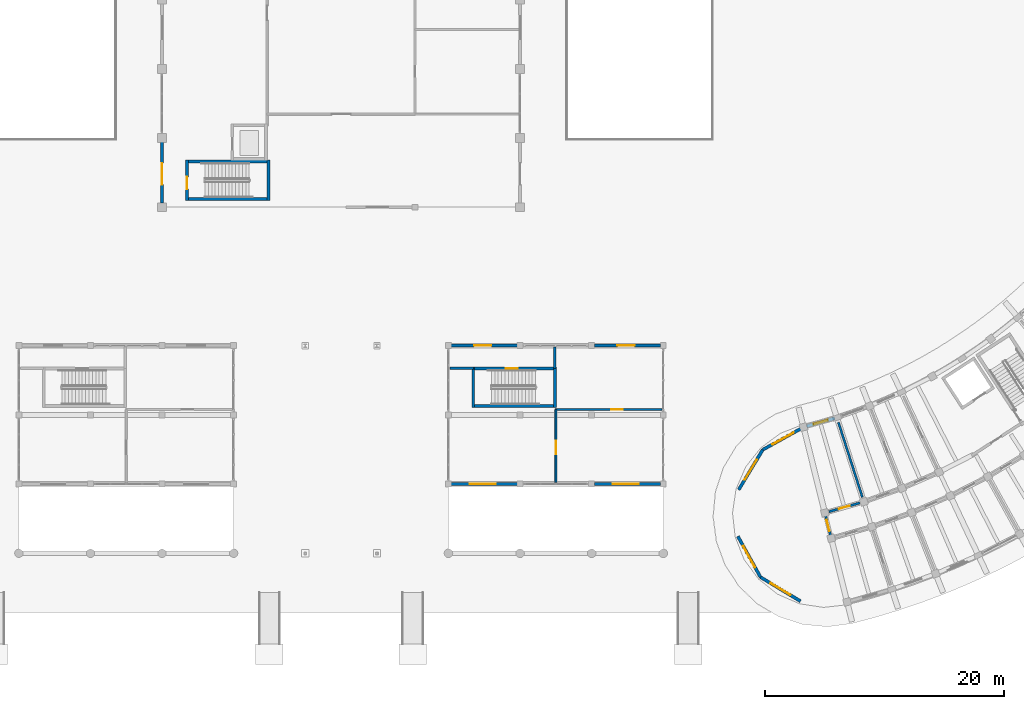
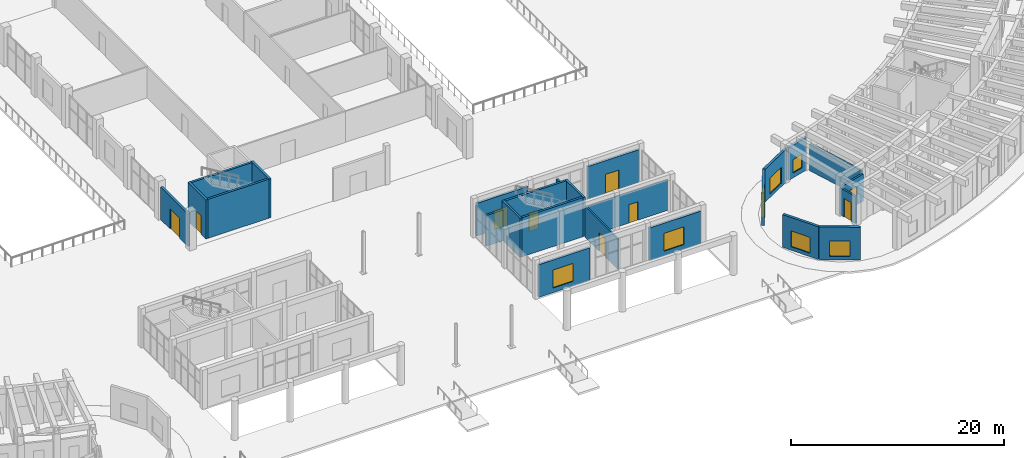
# One storey, part 91 of 132: 25 walls, 9 doors, 7 windows, 16 openings.
"""IFC4 building model written with IfcOpenShell, lengths in metres."""

from ifc_helpers import new_model, si_unit, direction, frame, frame_2d, origin, place, context, subcontext, project, spatial, rectangle, extrude, material, layer, layer_set, type_object, element, fill, save


model = new_model("IFC4")

# Units and contexts
model_context = context("Model", 3, precision=1e-05, world=origin(), true_north=direction((0.0, 1.0)))
body_context = subcontext(model_context, "Body", "Model", "MODEL_VIEW")
ifc_project = project(units=[si_unit("LENGTHUNIT", "METRE"), si_unit("AREAUNIT", "SQUARE_METRE"), si_unit("VOLUMEUNIT", "CUBIC_METRE"), si_unit("PLANEANGLEUNIT", "RADIAN"), si_unit("MASSUNIT", "GRAM", prefix="KILO")], contexts=[model_context])

# Site, building, storey
site_placement = place(None, origin())
site = spatial("IfcSite", under=ifc_project, at=site_placement, CompositionType="ELEMENT")
building_placement = place(site_placement, origin())
building = spatial("IfcBuilding", under=site, at=building_placement, Name="Tanwirah Colonnade Gardens", CompositionType="ELEMENT")
storey_placement = place(building_placement, origin())
storey = spatial("IfcBuildingStorey", under=building, at=storey_placement, Name="L00", CompositionType="ELEMENT", Elevation=0.0)

# Wall, opening, door
ifc_material_1 = material(Name="Limestone architectural precast concrete C40/50", Category="masonry")
ifc_layer_1 = layer(ifc_material_1, 0.25)
ifc_layer_set_1 = layer_set([ifc_layer_1], Name="Limestone architectural precast concrete C40/50")
wall_type_1 = type_object("IfcWallType", Name="EW-PAV250", PredefinedType="SOLIDWALL", material=ifc_layer_set_1)
wall_1_placement = place(storey_placement, frame((78.0, 40.14501953125, 0.0), z_axis=(0.0, 0.0, 1.0), x_axis=(0.0, 1.0, 0.0)))
wall_1 = element("IfcWall", 1, at=wall_1_placement, inside=storey, type_object=wall_type_1, Name="Community Hall L00 W Facade Wall 1", PredefinedType="SOLIDWALL", context=body_context, shape_type="SweptSolid", body=[
    extrude(rectangle(XDim=5.10986328125, YDim=0.25, at=frame_2d((2.554931640625, 0.0))), origin(), (0.0, 0.0, 1.0), 3.75),
])
opening_1_placement = place(wall_1_placement, frame((1.550048828125, 0.0, 0.0)))
opening_1 = element("IfcOpeningElement", 2, at=opening_1_placement, cuts=wall_1, Name="Opening L00-ED215", PredefinedType="OPENING", context=body_context, shape_type="SweptSolid", body=[
    extrude(rectangle(XDim=1.800048828125, YDim=2.300048828125, at=frame_2d((0.89990234375, 1.14990234375))), frame((0.0, 0.135009765625, 0.0), z_axis=(0.0, -1.0, 0.0), x_axis=(1.0, 0.0, 0.0)), (0.0, 0.0, 1.0), 0.27001953125),
])
ifc_material_2 = material(Name="Bronze architectural aluminium and safety glass", Category="aluminium")
door_type_1 = type_object("IfcDoorType", Name="ED-ENT18", OperationType="DOUBLE_DOOR_SINGLE_SWING", PredefinedType="DOOR", material=ifc_material_2)
door_1_placement = place(opening_1_placement, origin())
door_1 = element("IfcDoor", 3, at=door_1_placement, inside=storey, type_object=door_type_1, Name="Community Hall Foyer Courtyard Entrance L00-ED215", OperationType="DOUBLE_DOOR_SINGLE_SWING", OverallHeight=2.300048828125, OverallWidth=1.800048828125, PredefinedType="DOOR", context=body_context, shape_type="SweptSolid", body=[
    extrude(rectangle(XDim=1.800048828125, YDim=2.300048828125, at=frame_2d((0.89990234375, 1.14990234375))), frame((0.0, 0.02490234375, 0.0), z_axis=(0.0, -1.0, 0.0), x_axis=(1.0, 0.0, 0.0)), (0.0, 0.0, 1.0), 0.050048828125),
])
fill(opening_1, door_1)

# Wall, opening, window
ifc_layer_2 = layer(ifc_material_1, 0.239990234375)
ifc_layer_set_2 = layer_set([ifc_layer_2], Name="Limestone architectural precast concrete C40/50")
wall_type_2 = type_object("IfcWallType", Name="EW-PC240", PredefinedType="SOLIDWALL", material=ifc_layer_set_2)
wall_2_placement = place(storey_placement, frame((102.219970703125, 16.60009765625, 0.0), z_axis=(0.0, 0.0, 1.0), x_axis=(1.0, 0.0, 0.0)))
wall_2 = element("IfcWall", 4, at=wall_2_placement, inside=storey, type_object=wall_type_2, Name="Boulevard Shops E L00 S Wall 0", PredefinedType="SOLIDWALL", context=body_context, shape_type="SweptSolid", body=[
    extrude(rectangle(XDim=5.56005859375, YDim=0.239990234375, at=frame_2d((2.780029296875, 0.0))), origin(), (0.0, 0.0, 1.0), 3.75),
])
opening_2_placement = place(wall_2_placement, frame((1.56005859375, 0.0, 0.550048828125)))
opening_2 = element("IfcOpeningElement", 5, at=opening_2_placement, cuts=wall_2, Name="Opening WIN-SHP2", PredefinedType="OPENING", context=body_context, shape_type="SweptSolid", body=[
    extrude(rectangle(XDim=2.179931640625, YDim=2.050048828125, at=frame_2d((1.08984375, 1.02490234375))), frame((0.0, 0.1298828125, 0.0), z_axis=(0.0, -1.0, 0.0), x_axis=(1.0, 0.0, 0.0)), (0.0, 0.0, 1.0), 0.260009765625),
])
ifc_material_3 = material(Name="Thermally broken bronze aluminium and solar low-E double glazing", Category="aluminium")
window_type_1 = type_object("IfcWindowType", Name="WIN-SHP2", PartitioningType="TRIPLE_PANEL_VERTICAL", PredefinedType="WINDOW", material=ifc_material_3)
window_1_placement = place(opening_2_placement, origin())
window_1 = element("IfcWindow", 6, at=window_1_placement, inside=storey, type_object=window_type_1, Name="Boulevard Shop Window E-L00-0", OverallHeight=2.050048828125, OverallWidth=2.179931640625, PartitioningType="SINGLE_PANEL", PredefinedType="WINDOW", context=body_context, shape_type="SweptSolid", body=[
    extrude(rectangle(XDim=2.179931640625, YDim=2.050048828125, at=frame_2d((1.08984375, 1.02490234375))), frame((0.0, 0.030029296875, 0.0), z_axis=(0.0, -1.0, 0.0), x_axis=(1.0, 0.0, 0.0)), (0.0, 0.0, 1.0), 0.06005859375),
])
fill(opening_2, window_1)

wall_3_placement = place(storey_placement, frame((114.219970703125, 16.60009765625, 0.0), z_axis=(0.0, 0.0, 1.0), x_axis=(1.0, 0.0, 0.0)))
wall_3 = element("IfcWall", 7, at=wall_3_placement, inside=storey, type_object=wall_type_2, Name="Boulevard Shops E L00 S Wall 2", PredefinedType="SOLIDWALL", context=body_context, shape_type="SweptSolid", body=[
    extrude(rectangle(XDim=5.56005859375, YDim=0.239990234375, at=frame_2d((2.780029296875, 0.0))), origin(), (0.0, 0.0, 1.0), 3.75),
])
opening_3_placement = place(wall_3_placement, frame((1.56005859375, 0.0, 0.550048828125)))
opening_3 = element("IfcOpeningElement", 8, at=opening_3_placement, cuts=wall_3, Name="Opening WIN-SHP2", PredefinedType="OPENING", context=body_context, shape_type="SweptSolid", body=[
    extrude(rectangle(XDim=2.179931640625, YDim=2.050048828125, at=frame_2d((1.08984375, 1.02490234375))), frame((0.0, 0.1298828125, 0.0), z_axis=(0.0, -1.0, 0.0), x_axis=(1.0, 0.0, 0.0)), (0.0, 0.0, 1.0), 0.260009765625),
])
window_2_placement = place(opening_3_placement, origin())
window_2 = element("IfcWindow", 9, at=window_2_placement, inside=storey, type_object=window_type_1, Name="Boulevard Shop Window E-L00-2", OverallHeight=2.050048828125, OverallWidth=2.179931640625, PartitioningType="SINGLE_PANEL", PredefinedType="WINDOW", context=body_context, shape_type="SweptSolid", body=[
    extrude(rectangle(XDim=2.179931640625, YDim=2.050048828125, at=frame_2d((1.08984375, 1.02490234375))), frame((0.0, 0.030029296875, 0.0), z_axis=(0.0, -1.0, 0.0), x_axis=(1.0, 0.0, 0.0)), (0.0, 0.0, 1.0), 0.06005859375),
])
fill(opening_3, window_2)

# Wall, opening, door
wall_4_placement = place(storey_placement, frame((102.219970703125, 28.199951171875, 0.0), z_axis=(0.0, 0.0, 1.0), x_axis=(1.0, 0.0, 0.0)))
wall_4 = element("IfcWall", 10, at=wall_4_placement, inside=storey, type_object=wall_type_2, Name="Boulevard Shops E L00 N Wall 0", PredefinedType="SOLIDWALL", context=body_context, shape_type="SweptSolid", body=[
    extrude(rectangle(XDim=5.56005859375, YDim=0.239990234375, at=frame_2d((2.780029296875, 0.0))), origin(), (0.0, 0.0, 1.0), 3.75),
])
opening_4_placement = place(wall_4_placement, frame((1.929931640625, 0.0, 0.0)))
opening_4 = element("IfcOpeningElement", 11, at=opening_4_placement, cuts=wall_4, Name="Opening L00-ED228", PredefinedType="OPENING", context=body_context, shape_type="SweptSolid", body=[
    extrude(rectangle(XDim=1.43994140625, YDim=2.179931640625, at=frame_2d((0.719970703125, 1.08984375))), frame((0.0, 0.1298828125, 0.0), z_axis=(0.0, -1.0, 0.0), x_axis=(1.0, 0.0, 0.0)), (0.0, 0.0, 1.0), 0.260009765625),
])
door_type_2 = type_object("IfcDoorType", Name="ED-SHP14", OperationType="DOUBLE_DOOR_SINGLE_SWING", PredefinedType="DOOR", material=ifc_material_2)
door_2_placement = place(opening_4_placement, origin())
door_2 = element("IfcDoor", 12, at=door_2_placement, inside=storey, type_object=door_type_2, Name="Boulevard Shop Entrance Door L00-ED228", OperationType="DOUBLE_DOOR_SINGLE_SWING", OverallHeight=2.179931640625, OverallWidth=1.43994140625, PredefinedType="DOOR", context=body_context, shape_type="SweptSolid", body=[
    extrude(rectangle(XDim=1.43994140625, YDim=2.179931640625, at=frame_2d((0.719970703125, 1.08984375))), frame((0.0, 0.02490234375, 0.0), z_axis=(0.0, -1.0, 0.0), x_axis=(1.0, 0.0, 0.0)), (0.0, 0.0, 1.0), 0.050048828125),
])
fill(opening_4, door_2)

wall_5_placement = place(storey_placement, frame((114.219970703125, 28.199951171875, 0.0), z_axis=(0.0, 0.0, 1.0), x_axis=(1.0, 0.0, 0.0)))
wall_5 = element("IfcWall", 13, at=wall_5_placement, inside=storey, type_object=wall_type_2, Name="Boulevard Shops E L00 N Wall 2", PredefinedType="SOLIDWALL", context=body_context, shape_type="SweptSolid", body=[
    extrude(rectangle(XDim=5.56005859375, YDim=0.239990234375, at=frame_2d((2.780029296875, 0.0))), origin(), (0.0, 0.0, 1.0), 3.75),
])
opening_5_placement = place(wall_5_placement, frame((1.929931640625, 0.0, 0.0)))
opening_5 = element("IfcOpeningElement", 14, at=opening_5_placement, cuts=wall_5, Name="Opening L00-ED229", PredefinedType="OPENING", context=body_context, shape_type="SweptSolid", body=[
    extrude(rectangle(XDim=1.43994140625, YDim=2.179931640625, at=frame_2d((0.719970703125, 1.08984375))), frame((0.0, 0.1298828125, 0.0), z_axis=(0.0, -1.0, 0.0), x_axis=(1.0, 0.0, 0.0)), (0.0, 0.0, 1.0), 0.260009765625),
])
door_3_placement = place(opening_5_placement, origin())
door_3 = element("IfcDoor", 15, at=door_3_placement, inside=storey, type_object=door_type_2, Name="Boulevard Shop Entrance Door L00-ED229", OperationType="DOUBLE_DOOR_SINGLE_SWING", OverallHeight=2.179931640625, OverallWidth=1.43994140625, PredefinedType="DOOR", context=body_context, shape_type="SweptSolid", body=[
    extrude(rectangle(XDim=1.43994140625, YDim=2.179931640625, at=frame_2d((0.719970703125, 1.08984375))), frame((0.0, 0.02490234375, 0.0), z_axis=(0.0, -1.0, 0.0), x_axis=(1.0, 0.0, 0.0)), (0.0, 0.0, 1.0), 0.050048828125),
])
fill(opening_5, door_3)

# Wall, opening, window
ifc_layer_3 = layer(ifc_material_1, 0.260009765625)
ifc_layer_set_3 = layer_set([ifc_layer_3], Name="Limestone architectural precast concrete C40/50")
wall_type_3 = type_object("IfcWallType", Name="EW-PC260", PredefinedType="SOLIDWALL", material=ifc_layer_set_3)
wall_6_placement = place(storey_placement, frame((132.017822265625, 21.445556640625, 0.0), z_axis=(0.0, 0.0, 1.0), x_axis=(0.961854311059, 0.273562212847, 0.0)))
wall_6 = element("IfcWall", 16, at=wall_6_placement, inside=storey, type_object=wall_type_3, Name="Block D L00 IN Precast Facade Wall 0", PredefinedType="SOLIDWALL", context=body_context, shape_type="SweptSolid", body=[
    extrude(rectangle(XDim=2.448974609375, YDim=0.260009765625, at=frame_2d((1.224609375, 0.0))), origin(), (0.0, 0.0, 1.0), 3.7548828125),
])
opening_6_placement = place(wall_6_placement, frame((0.6044921875, 0.0, 0.550048828125)))
opening_6 = element("IfcOpeningElement", 17, at=opening_6_placement, cuts=wall_6, Name="Opening WIN-U03", PredefinedType="OPENING", context=body_context, shape_type="SweptSolid", body=[
    extrude(rectangle(XDim=1.239990234375, YDim=1.534912109375, at=frame_2d((0.6201171875, 0.767578125))), frame((0.0, 0.139892578125, 0.0), z_axis=(0.0, -1.0, 0.0), x_axis=(1.0, 0.0, 0.0)), (0.0, 0.0, 1.0), 0.280029296875),
])
window_type_2 = type_object("IfcWindowType", Name="WIN-U03", PartitioningType="DOUBLE_PANEL_VERTICAL", PredefinedType="WINDOW", material=ifc_material_3)
window_3_placement = place(opening_6_placement, origin())
window_3 = element("IfcWindow", 18, at=window_3_placement, inside=storey, type_object=window_type_2, Name="Facade window D-L00-IN-00", OverallHeight=1.534912109375, OverallWidth=1.239990234375, PartitioningType="SINGLE_PANEL", PredefinedType="WINDOW", context=body_context, shape_type="SweptSolid", body=[
    extrude(rectangle(XDim=1.239990234375, YDim=1.534912109375, at=frame_2d((0.6201171875, 0.767578125))), frame((0.0, 0.030029296875, 0.0), z_axis=(0.0, -1.0, 0.0), x_axis=(1.0, 0.0, 0.0)), (0.0, 0.0, 1.0), 0.06005859375),
])
fill(opening_6, window_3)

wall_7_placement = place(storey_placement, frame((131.498779296875, 6.787109375, 0.0), z_axis=(0.0, 0.0, 1.0), x_axis=(-0.85715098885, 0.515065221417, 0.0)))
wall_7 = element("IfcWall", 19, at=wall_7_placement, inside=storey, type_object=wall_type_3, Name="Block D L00 START Rounded End Wall 1", PredefinedType="SOLIDWALL", context=body_context, shape_type="SweptSolid", body=[
    extrude(rectangle(XDim=3.908203125, YDim=0.260009765625, at=frame_2d((1.9541015625, 0.0))), origin(), (0.0, 0.0, 1.0), 3.7548828125),
])
opening_7_placement = place(wall_7_placement, frame((0.97900390625, 0.0, 0.39990234375)))
opening_7 = element("IfcOpeningElement", 20, at=opening_7_placement, cuts=wall_7, Name="Opening WIN-END2", PredefinedType="OPENING", context=body_context, shape_type="SweptSolid", body=[
    extrude(rectangle(XDim=1.949951171875, YDim=1.780029296875, at=frame_2d((0.97509765625, 0.89013671875))), frame((0.0, 0.139892578125, 0.0), z_axis=(0.0, -1.0, 0.0), x_axis=(1.0, 0.0, 0.0)), (0.0, 0.0, 1.0), 0.280029296875),
])
window_type_3 = type_object("IfcWindowType", Name="WIN-END2", PartitioningType="TRIPLE_PANEL_VERTICAL", PredefinedType="WINDOW", material=ifc_material_3)
window_4_placement = place(opening_7_placement, origin())
window_4 = element("IfcWindow", 21, at=window_4_placement, inside=storey, type_object=window_type_3, Name="Rounded corner window D-L00-START-1", OverallHeight=1.780029296875, OverallWidth=1.949951171875, PartitioningType="SINGLE_PANEL", PredefinedType="WINDOW", context=body_context, shape_type="SweptSolid", body=[
    extrude(rectangle(XDim=1.949951171875, YDim=1.780029296875, at=frame_2d((0.97509765625, 0.89013671875))), frame((0.0, 0.030029296875, 0.0), z_axis=(0.0, -1.0, 0.0), x_axis=(1.0, 0.0, 0.0)), (0.0, 0.0, 1.0), 0.06005859375),
])
fill(opening_7, window_4)

wall_8_placement = place(storey_placement, frame((128.14892578125, 8.800048828125, 0.0), z_axis=(0.0, 0.0, 1.0), x_axis=(-0.484841794757, 0.874601871743, 0.0)))
wall_8 = element("IfcWall", 22, at=wall_8_placement, inside=storey, type_object=wall_type_3, Name="Block D L00 START Rounded End Wall 2", PredefinedType="SOLIDWALL", context=body_context, shape_type="SweptSolid", body=[
    extrude(rectangle(XDim=3.907958984375, YDim=0.260009765625, at=frame_2d((1.9541015625, 0.0))), origin(), (0.0, 0.0, 1.0), 3.7548828125),
])
opening_8_placement = place(wall_8_placement, frame((0.92919921875, 0.0, 0.39990234375)))
opening_8 = element("IfcOpeningElement", 23, at=opening_8_placement, cuts=wall_8, Name="Opening WIN-END3", PredefinedType="OPENING", context=body_context, shape_type="SweptSolid", body=[
    extrude(rectangle(XDim=2.050048828125, YDim=1.820068359375, at=frame_2d((1.02490234375, 0.91015625))), frame((0.0, 0.139892578125, 0.0), z_axis=(0.0, -1.0, 0.0), x_axis=(1.0, 0.0, 0.0)), (0.0, 0.0, 1.0), 0.280029296875),
])
window_type_4 = type_object("IfcWindowType", Name="WIN-END3", PartitioningType="TRIPLE_PANEL_VERTICAL", PredefinedType="WINDOW", material=ifc_material_3)
window_5_placement = place(opening_8_placement, origin())
window_5 = element("IfcWindow", 24, at=window_5_placement, inside=storey, type_object=window_type_4, Name="Rounded corner window D-L00-START-2", OverallHeight=1.820068359375, OverallWidth=2.050048828125, PartitioningType="SINGLE_PANEL", PredefinedType="WINDOW", context=body_context, shape_type="SweptSolid", body=[
    extrude(rectangle(XDim=2.050048828125, YDim=1.820068359375, at=frame_2d((1.02490234375, 0.91015625))), frame((0.0, 0.030029296875, 0.0), z_axis=(0.0, -1.0, 0.0), x_axis=(1.0, 0.0, 0.0)), (0.0, 0.0, 1.0), 0.06005859375),
])
fill(opening_8, window_5)

wall_9_placement = place(storey_placement, frame((126.322509765625, 16.125732421875, 0.0), z_axis=(0.0, 0.0, 1.0), x_axis=(0.515019321998, 0.857178568309, 0.0)))
wall_9 = element("IfcWall", 25, at=wall_9_placement, inside=storey, type_object=wall_type_3, Name="Block D L00 START Rounded End Wall 4", PredefinedType="SOLIDWALL", context=body_context, shape_type="SweptSolid", body=[
    extrude(rectangle(XDim=3.907958984375, YDim=0.260009765625, at=frame_2d((1.9541015625, 0.0))), origin(), (0.0, 0.0, 1.0), 3.7548828125),
])
opening_9_placement = place(wall_9_placement, frame((0.97900390625, 0.0, 0.39990234375)))
opening_9 = element("IfcOpeningElement", 26, at=opening_9_placement, cuts=wall_9, Name="Opening WIN-END2", PredefinedType="OPENING", context=body_context, shape_type="SweptSolid", body=[
    extrude(rectangle(XDim=1.949951171875, YDim=1.780029296875, at=frame_2d((0.97509765625, 0.89013671875))), frame((0.0, 0.139892578125, 0.0), z_axis=(0.0, -1.0, 0.0), x_axis=(1.0, 0.0, 0.0)), (0.0, 0.0, 1.0), 0.280029296875),
])
window_6_placement = place(opening_9_placement, origin())
window_6 = element("IfcWindow", 27, at=window_6_placement, inside=storey, type_object=window_type_3, Name="Rounded corner window D-L00-START-4", OverallHeight=1.780029296875, OverallWidth=1.949951171875, PartitioningType="SINGLE_PANEL", PredefinedType="WINDOW", context=body_context, shape_type="SweptSolid", body=[
    extrude(rectangle(XDim=1.949951171875, YDim=1.780029296875, at=frame_2d((0.97509765625, 0.89013671875))), frame((0.0, 0.030029296875, 0.0), z_axis=(0.0, -1.0, 0.0), x_axis=(1.0, 0.0, 0.0)), (0.0, 0.0, 1.0), 0.06005859375),
])
fill(opening_9, window_6)

wall_10_placement = place(storey_placement, frame((128.335205078125, 19.4755859375, 0.0), z_axis=(0.0, 0.0, 1.0), x_axis=(0.874616555828, 0.48481530532, 0.0)))
wall_10 = element("IfcWall", 28, at=wall_10_placement, inside=storey, type_object=wall_type_3, Name="Block D L00 START Rounded End Wall 5", PredefinedType="SOLIDWALL", context=body_context, shape_type="SweptSolid", body=[
    extrude(rectangle(XDim=3.908203125, YDim=0.260009765625, at=frame_2d((1.9541015625, 0.0))), origin(), (0.0, 0.0, 1.0), 3.7548828125),
])
opening_10_placement = place(wall_10_placement, frame((0.92919921875, 0.0, 0.39990234375)))
opening_10 = element("IfcOpeningElement", 29, at=opening_10_placement, cuts=wall_10, Name="Opening WIN-END3", PredefinedType="OPENING", context=body_context, shape_type="SweptSolid", body=[
    extrude(rectangle(XDim=2.050048828125, YDim=1.820068359375, at=frame_2d((1.02490234375, 0.91015625))), frame((0.0, 0.139892578125, 0.0), z_axis=(0.0, -1.0, 0.0), x_axis=(1.0, 0.0, 0.0)), (0.0, 0.0, 1.0), 0.280029296875),
])
window_7_placement = place(opening_10_placement, origin())
window_7 = element("IfcWindow", 30, at=window_7_placement, inside=storey, type_object=window_type_4, Name="Rounded corner window D-L00-START-5", OverallHeight=1.820068359375, OverallWidth=2.050048828125, PartitioningType="SINGLE_PANEL", PredefinedType="WINDOW", context=body_context, shape_type="SweptSolid", body=[
    extrude(rectangle(XDim=2.050048828125, YDim=1.820068359375, at=frame_2d((1.02490234375, 0.91015625))), frame((0.0, 0.030029296875, 0.0), z_axis=(0.0, -1.0, 0.0), x_axis=(1.0, 0.0, 0.0)), (0.0, 0.0, 1.0), 0.06005859375),
])
fill(opening_10, window_7)

# Wall, opening, door
ifc_material_4 = material(Name="Precast concrete C40/50", Category="concrete")
ifc_layer_4 = layer(ifc_material_4, 0.195068359375)
ifc_layer_set_4 = layer_set([ifc_layer_4], Name="Precast concrete C40/50")
wall_type_4 = type_object("IfcWallType", Name="IW-CORR195", PredefinedType="PARTITIONING", material=ifc_layer_set_4)
wall_11_placement = place(storey_placement, frame((133.88037109375, 14.285888671875, 0.0), z_axis=(0.0, 0.0, 1.0), x_axis=(0.961861926514, 0.273535435224, 0.0)))
wall_11 = element("IfcWall", 31, at=wall_11_placement, inside=storey, type_object=wall_type_4, Name="Block D L00 IN Corridor Wall 0", PredefinedType="PARTITIONING", context=body_context, shape_type="SweptSolid", body=[
    extrude(rectangle(XDim=2.69287109375, YDim=0.195068359375, at=frame_2d((1.346435546875, 0.0))), origin(), (0.0, 0.0, 1.0), 3.10009765625),
])
opening_11_placement = place(wall_11_placement, frame((0.881591796875, 0.0, 0.0)))
opening_11 = element("IfcOpeningElement", 32, at=opening_11_placement, cuts=wall_11, Name="Opening L00-AD1651", PredefinedType="OPENING", context=body_context, shape_type="SweptSolid", body=[
    extrude(rectangle(XDim=0.929931640625, YDim=2.1201171875, at=frame_2d((0.46484375, 1.06005859375))), frame((0.0, 0.107421875, 0.0), z_axis=(0.0, -1.0, 0.0), x_axis=(1.0, 0.0, 0.0)), (0.0, 0.0, 1.0), 0.215087890625),
])
ifc_material_5 = material(Name="Solid oak fire-resisting apartment entrance door")
door_type_3 = type_object("IfcDoorType", Name="ID-FLT093", OperationType="NOTDEFINED", PredefinedType="DOOR", material=ifc_material_5)
door_4_placement = place(opening_11_placement, origin())
door_4 = element("IfcDoor", 33, at=door_4_placement, inside=storey, type_object=door_type_3, Name="Apartment corridor door L00-AD1651", OperationType="SINGLE_SWING_RIGHT", OverallHeight=2.1201171875, OverallWidth=0.929931640625, PredefinedType="DOOR", context=body_context, shape_type="SweptSolid", body=[
    extrude(rectangle(XDim=0.929931640625, YDim=2.1201171875, at=frame_2d((0.46484375, 1.06005859375))), frame((0.0, 0.02490234375, 0.0), z_axis=(0.0, -1.0, 0.0), x_axis=(1.0, 0.0, 0.0)), (0.0, 0.0, 1.0), 0.050048828125),
])
fill(opening_11, door_4)

wall_12_placement = place(storey_placement, frame((133.5556640625, 14.1416015625, 0.0), z_axis=(0.0, 0.0, 1.0), x_axis=(0.241933770084, -0.970292765557, 0.0)))
wall_12 = element("IfcWall", 34, at=wall_12_placement, inside=storey, type_object=wall_type_4, Name="Block D L00 CS Corner Suite Corridor Wall", PredefinedType="PARTITIONING", context=body_context, shape_type="SweptSolid", body=[
    extrude(rectangle(XDim=2.10009765625, YDim=0.195068359375, at=frame_2d((1.050048828125, 0.0))), origin(), (0.0, 0.0, 1.0), 3.10009765625),
])
opening_12_placement = place(wall_12_placement, frame((0.570068359375, 0.0, 0.0)))
opening_12 = element("IfcOpeningElement", 35, at=opening_12_placement, cuts=wall_12, Name="Opening L00-CD1684", PredefinedType="OPENING", context=body_context, shape_type="SweptSolid", body=[
    extrude(rectangle(XDim=0.949951171875, YDim=2.1298828125, at=frame_2d((0.47509765625, 1.06494140625))), frame((0.0, 0.107421875, 0.0), z_axis=(0.0, -1.0, 0.0), x_axis=(1.0, 0.0, 0.0)), (0.0, 0.0, 1.0), 0.215087890625),
])
door_type_4 = type_object("IfcDoorType", Name="ID-FLT095", OperationType="NOTDEFINED", PredefinedType="DOOR", material=ifc_material_5)
door_5_placement = place(opening_12_placement, origin())
door_5 = element("IfcDoor", 36, at=door_5_placement, inside=storey, type_object=door_type_4, Name="Corner suite entrance door L00-CD1684", OperationType="SINGLE_SWING_LEFT", OverallHeight=2.1298828125, OverallWidth=0.949951171875, PredefinedType="DOOR", context=body_context, shape_type="SweptSolid", body=[
    extrude(rectangle(XDim=0.949951171875, YDim=2.1298828125, at=frame_2d((0.47509765625, 1.06494140625))), frame((0.0, 0.02490234375, 0.0), z_axis=(0.0, -1.0, 0.0), x_axis=(1.0, 0.0, 0.0)), (0.0, 0.0, 1.0), 0.050048828125),
])
fill(opening_12, door_5)

# Walls
ifc_layer_5 = layer(ifc_material_4, 0.205078125)
ifc_layer_set_5 = layer_set([ifc_layer_5], Name="Precast concrete C40/50")
wall_type_5 = type_object("IfcWallType", Name="IW-CORR205", PredefinedType="PARTITIONING", material=ifc_layer_set_5)
wall_13_placement = place(storey_placement, frame((102.1201171875, 26.2900390625, 0.0), z_axis=(0.0, 0.0, 1.0), x_axis=(1.0, 0.0, 0.0)))
element("IfcWall", 37, at=wall_13_placement, inside=storey, type_object=wall_type_5, Name="Interior Partition IW-SHPE-EXIT-W", PredefinedType="PARTITIONING", context=body_context, shape_type="SweptSolid", body=[
    extrude(rectangle(XDim=1.9599609375, YDim=0.205078125, at=frame_2d((0.97998046875, 0.0))), origin(), (0.0, 0.0, 1.0), 3.52001953125),
])
wall_14_placement = place(storey_placement, frame((110.919921875, 26.2900390625, 0.0), z_axis=(0.0, 0.0, 1.0), x_axis=(0.0, 1.0, 0.0)))
element("IfcWall", 38, at=wall_14_placement, inside=storey, type_object=wall_type_5, Name="Interior Partition IW-SHPE-EXIT-E", PredefinedType="PARTITIONING", context=body_context, shape_type="SweptSolid", body=[
    extrude(rectangle(XDim=1.7900390625, YDim=0.205078125, at=frame_2d((0.89501953125, 0.0))), origin(), (0.0, 0.0, 1.0), 3.52001953125),
])
ifc_layer_6 = layer(ifc_material_4, 0.18505859375)
ifc_layer_set_6 = layer_set([ifc_layer_6], Name="Precast concrete C40/50")
wall_type_6 = type_object("IfcWallType", Name="IW-DEM185", PredefinedType="PARTITIONING", material=ifc_layer_set_6)
wall_15_placement = place(storey_placement, frame((134.673095703125, 21.78515625, 0.0), z_axis=(0.0, 0.0, 1.0), x_axis=(0.304875046605, -0.95239235925, 0.0)))
element("IfcWall", 39, at=wall_15_placement, inside=storey, type_object=wall_type_6, Name="Block D L00 Inner Radial Partition 0", PredefinedType="PARTITIONING", context=body_context, shape_type="SweptSolid", body=[
    extrude(rectangle(XDim=6.60009765625, YDim=0.18505859375, at=frame_2d((3.300048828125, 0.0))), origin(), (0.0, 0.0, 1.0), 3.10009765625),
])

# Wall, opening, door
ifc_material_6 = material(Name="Fire-rated acoustic blockwork partition", Category="masonry")
ifc_layer_7 = layer(ifc_material_6, 0.159912109375)
ifc_layer_set_7 = layer_set([ifc_layer_7], Name="Fire-rated acoustic blockwork partition")
wall_type_7 = type_object("IfcWallType", Name="IW-PAV160", PredefinedType="PARTITIONING", material=ifc_layer_set_7)
wall_16_placement = place(storey_placement, frame((111.0, 16.719970703125, 0.0), z_axis=(0.0, 0.0, 1.0), x_axis=(0.0, 1.0, 0.0)))
wall_16 = element("IfcWall", 40, at=wall_16_placement, inside=storey, type_object=wall_type_7, Name="Interior Partition IW-SHPE-DIV0", PredefinedType="PARTITIONING", context=body_context, shape_type="SweptSolid", body=[
    extrude(rectangle(XDim=6.130126953125, YDim=0.159912109375, at=frame_2d((3.06494140625, 0.0))), origin(), (0.0, 0.0, 1.0), 3.52001953125),
])
opening_13_placement = place(wall_16_placement, frame((2.38232421875, 0.0, 0.0)))
opening_13 = element("IfcOpeningElement", 41, at=opening_13_placement, cuts=wall_16, Name="Opening L00-VD1969", PredefinedType="OPENING", context=body_context, shape_type="SweptSolid", body=[
    extrude(rectangle(XDim=1.1201171875, YDim=2.1201171875, at=frame_2d((0.56005859375, 1.06005859375))), frame((0.0, 0.08984375, 0.0), z_axis=(0.0, -1.0, 0.0), x_axis=(1.0, 0.0, 0.0)), (0.0, 0.0, 1.0), 0.179931640625),
])
ifc_material_7 = material(Name="Commercial suite oak fire door")
door_type_5 = type_object("IfcDoorType", Name="ID-SHP11", OperationType="NOTDEFINED", PredefinedType="DOOR", material=ifc_material_7)
door_6_placement = place(opening_13_placement, origin())
door_6 = element("IfcDoor", 42, at=door_6_placement, inside=storey, type_object=door_type_5, Name="Civic interior door L00-VD1969", OperationType="SINGLE_SWING_LEFT", OverallHeight=2.1201171875, OverallWidth=1.1201171875, PredefinedType="DOOR", context=body_context, shape_type="SweptSolid", body=[
    extrude(rectangle(XDim=1.1201171875, YDim=2.1201171875, at=frame_2d((0.56005859375, 1.06005859375))), frame((0.0, 0.02490234375, 0.0), z_axis=(0.0, -1.0, 0.0), x_axis=(1.0, 0.0, 0.0)), (0.0, 0.0, 1.0), 0.050048828125),
])
fill(opening_13, door_6)

ifc_material_8 = material(Name="Water-resistant acoustic plumbing partition")
ifc_layer_8 = layer(ifc_material_8, 0.139892578125)
ifc_layer_set_8 = layer_set([ifc_layer_8], Name="Water-resistant acoustic plumbing partition")
wall_type_8 = type_object("IfcWallType", Name="IW-WET140", PredefinedType="PLUMBINGWALL", material=ifc_layer_set_8)
wall_17_placement = place(storey_placement, frame((110.949951171875, 22.85009765625, 0.0), z_axis=(0.0, 0.0, 1.0), x_axis=(1.0, 0.0, 0.0)))
wall_17 = element("IfcWall", 43, at=wall_17_placement, inside=storey, type_object=wall_type_8, Name="Interior Partition IW-SHPE-COR0", PredefinedType="PLUMBINGWALL", context=body_context, shape_type="SweptSolid", body=[
    extrude(rectangle(XDim=8.929931640625, YDim=0.139892578125, at=frame_2d((4.46484375, 0.0))), origin(), (0.0, 0.0, 1.0), 3.52001953125),
])
opening_14_placement = place(wall_17_placement, frame((4.699462890625, 0.0, 0.0)))
opening_14 = element("IfcOpeningElement", 44, at=opening_14_placement, cuts=wall_17, Name="Opening L00-VD1970", PredefinedType="OPENING", context=body_context, shape_type="SweptSolid", body=[
    extrude(rectangle(XDim=0.9599609375, YDim=2.10009765625, at=frame_2d((0.47998046875, 1.050048828125))), frame((0.0, 0.079833984375, 0.0), z_axis=(0.0, -1.0, 0.0), x_axis=(1.0, 0.0, 0.0)), (0.0, 0.0, 1.0), 0.159912109375),
])
ifc_material_9 = material(Name="Accessible toilet outward-opening door")
door_type_6 = type_object("IfcDoorType", Name="ID-AWC096", OperationType="NOTDEFINED", PredefinedType="DOOR", material=ifc_material_9)
door_7_placement = place(opening_14_placement, origin())
door_7 = element("IfcDoor", 45, at=door_7_placement, inside=storey, type_object=door_type_6, Name="Civic interior door L00-VD1970", OperationType="SINGLE_SWING_RIGHT", OverallHeight=2.10009765625, OverallWidth=0.9599609375, PredefinedType="DOOR", context=body_context, shape_type="SweptSolid", body=[
    extrude(rectangle(XDim=0.9599609375, YDim=2.10009765625, at=frame_2d((0.47998046875, 1.050048828125))), frame((0.0, 0.02490234375, 0.0), z_axis=(0.0, -1.0, 0.0), x_axis=(1.0, 0.0, 0.0)), (0.0, 0.0, 1.0), 0.050048828125),
])
fill(opening_14, door_7)

# Walls
ifc_material_10 = material(Name="Concrete C45/55", Category="concrete")
ifc_layer_9 = layer(ifc_material_10, 0.235107421875)
ifc_layer_set_9 = layer_set([ifc_layer_9], Name="Concrete C45/55")
wall_type_9 = type_object("IfcWallType", Name="SW-CORE235", PredefinedType="SHEAR", material=ifc_layer_set_9)
wall_18_placement = place(storey_placement, frame((80.199951171875, 40.482421875, 0.0), z_axis=(0.0, 0.0, 1.0), x_axis=(1.0, 0.0, 0.0)))
element("IfcWall", 46, at=wall_18_placement, inside=storey, type_object=wall_type_9, Name="CORE-H1 L00 Stair Shaft Shear Wall LEFT", PredefinedType="SHEAR", context=body_context, shape_type="SweptSolid", body=[
    extrude(rectangle(XDim=6.60009765625, YDim=0.235107421875, at=frame_2d((3.300048828125, 0.0))), origin(), (0.0, 0.0, 1.0), 4.465087890625),
])
wall_19_placement = place(storey_placement, frame((86.91748046875, 40.364990234375, 0.0), z_axis=(0.0, 0.0, 1.0), x_axis=(0.0, 1.0, 0.0)))
element("IfcWall", 47, at=wall_19_placement, inside=storey, type_object=wall_type_9, Name="CORE-H1 L00 Stair Shaft Shear Wall FAR", PredefinedType="SHEAR", context=body_context, shape_type="SweptSolid", body=[
    extrude(rectangle(XDim=3.389892578125, YDim=0.235107421875, at=frame_2d((1.69482421875, 0.0))), origin(), (0.0, 0.0, 1.0), 4.465087890625),
])

# Wall, opening, door
wall_20_placement = place(storey_placement, frame((80.08251953125, 40.364990234375, 0.0), z_axis=(0.0, 0.0, 1.0), x_axis=(0.0, 1.0, 0.0)))
wall_20 = element("IfcWall", 48, at=wall_20_placement, inside=storey, type_object=wall_type_9, Name="CORE-H1 L00 Stair Shaft Shear Wall NEAR", PredefinedType="SHEAR", context=body_context, shape_type="SweptSolid", body=[
    extrude(rectangle(XDim=3.389892578125, YDim=0.235107421875, at=frame_2d((1.69482421875, 0.0))), origin(), (0.0, 0.0, 1.0), 4.465087890625),
])
opening_15_placement = place(wall_20_placement, frame((0.949951171875, 0.0, 0.0)))
opening_15 = element("IfcOpeningElement", 49, at=opening_15_placement, cuts=wall_20, Name="Opening L00-SD209", PredefinedType="OPENING", context=body_context, shape_type="SweptSolid", body=[
    extrude(rectangle(XDim=1.02001953125, YDim=2.139892578125, at=frame_2d((0.510009765625, 1.06982421875))), frame((0.0, 0.12744140625, 0.0), z_axis=(0.0, -1.0, 0.0), x_axis=(1.0, 0.0, 0.0)), (0.0, 0.0, 1.0), 0.255126953125),
])
ifc_material_11 = material(Name="Steel fire-resisting stair enclosure door", Category="steel")
door_type_7 = type_object("IfcDoorType", Name="ID-ST102", OperationType="NOTDEFINED", PredefinedType="DOOR", material=ifc_material_11)
door_8_placement = place(opening_15_placement, origin())
door_8 = element("IfcDoor", 50, at=door_8_placement, inside=storey, type_object=door_type_7, Name="CORE-H1 L00 Stair Fire Door L00-SD209", OperationType="SINGLE_SWING_RIGHT", OverallHeight=2.139892578125, OverallWidth=1.02001953125, PredefinedType="DOOR", context=body_context, shape_type="SweptSolid", body=[
    extrude(rectangle(XDim=1.02001953125, YDim=2.139892578125, at=frame_2d((0.510009765625, 1.06982421875))), frame((0.0, 0.02490234375, 0.0), z_axis=(0.0, -1.0, 0.0), x_axis=(1.0, 0.0, 0.0)), (0.0, 0.0, 1.0), 0.050048828125),
])
fill(opening_15, door_8)

# Walls
wall_21_placement = place(storey_placement, frame((80.199951171875, 43.637451171875, 0.0), z_axis=(0.0, 0.0, 1.0), x_axis=(1.0, 0.0, 0.0)))
element("IfcWall", 51, at=wall_21_placement, inside=storey, type_object=wall_type_9, Name="CORE-H1 L00 Stair Shaft Shear Wall RIGHT", PredefinedType="SHEAR", context=body_context, shape_type="SweptSolid", body=[
    extrude(rectangle(XDim=6.60009765625, YDim=0.235107421875, at=frame_2d((3.300048828125, 0.0))), origin(), (0.0, 0.0, 1.0), 4.465087890625),
])
wall_22_placement = place(storey_placement, frame((104.199951171875, 23.132568359375, 0.0), z_axis=(0.0, 0.0, 1.0), x_axis=(1.0, 0.0, 0.0)))
element("IfcWall", 52, at=wall_22_placement, inside=storey, type_object=wall_type_9, Name="CORE-SE L00 Stair Shaft Shear Wall LEFT", PredefinedType="SHEAR", context=body_context, shape_type="SweptSolid", body=[
    extrude(rectangle(XDim=6.60009765625, YDim=0.235107421875, at=frame_2d((3.300048828125, 0.0))), origin(), (0.0, 0.0, 1.0), 4.489990234375),
])
for number, where, z_axis, x_axis, name in (
    (53, (110.91748046875, 23.014892578125, 0.0), (0.0, 0.0, 1.0), (0.0, 1.0, 0.0), "CORE-SE L00 Stair Shaft Shear Wall FAR"),
    (54, (104.08251953125, 23.014892578125, 0.0), (0.0, 0.0, 1.0), (0.0, 1.0, 0.0), "CORE-SE L00 Stair Shaft Shear Wall NEAR"),
):
    element("IfcWall", number, at=place(storey_placement, frame(where, z_axis=z_axis, x_axis=x_axis)), inside=storey, type_object=wall_type_9, Name=name, PredefinedType="SHEAR", context=body_context, shape_type="SweptSolid", body=[
        extrude(rectangle(XDim=3.39013671875, YDim=0.235107421875, at=frame_2d((1.695068359375, 0.0))), origin(), (0.0, 0.0, 1.0), 4.489990234375),
    ])

# Wall, opening, door
wall_23_placement = place(storey_placement, frame((104.199951171875, 26.28759765625, 0.0), z_axis=(0.0, 0.0, 1.0), x_axis=(1.0, 0.0, 0.0)))
wall_23 = element("IfcWall", 55, at=wall_23_placement, inside=storey, type_object=wall_type_9, Name="CORE-SE L00 Stair Shaft Shear Wall RIGHT", PredefinedType="SHEAR", context=body_context, shape_type="SweptSolid", body=[
    extrude(rectangle(XDim=6.60009765625, YDim=0.235107421875, at=frame_2d((3.300048828125, 0.0))), origin(), (0.0, 0.0, 1.0), 4.489990234375),
])
opening_16_placement = place(wall_23_placement, frame((2.60009765625, 0.0, 0.0)))
opening_16 = element("IfcOpeningElement", 56, at=opening_16_placement, cuts=wall_23, Name="Opening L00-SD219", PredefinedType="OPENING", context=body_context, shape_type="SweptSolid", body=[
    extrude(rectangle(XDim=1.02001953125, YDim=2.139892578125, at=frame_2d((0.510009765625, 1.06982421875))), frame((0.0, 0.12744140625, 0.0), z_axis=(0.0, -1.0, 0.0), x_axis=(1.0, 0.0, 0.0)), (0.0, 0.0, 1.0), 0.255126953125),
])
door_9_placement = place(opening_16_placement, origin())
door_9 = element("IfcDoor", 57, at=door_9_placement, inside=storey, type_object=door_type_7, Name="CORE-SE L00 Stair Fire Door L00-SD219", OperationType="SINGLE_SWING_RIGHT", OverallHeight=2.139892578125, OverallWidth=1.02001953125, PredefinedType="DOOR", context=body_context, shape_type="SweptSolid", body=[
    extrude(rectangle(XDim=1.02001953125, YDim=2.139892578125, at=frame_2d((0.510009765625, 1.06982421875))), frame((0.0, 0.02490234375, 0.0), z_axis=(0.0, -1.0, 0.0), x_axis=(1.0, 0.0, 0.0)), (0.0, 0.0, 1.0), 0.050048828125),
])
fill(opening_16, door_9)

save(model, "model.ifc")
